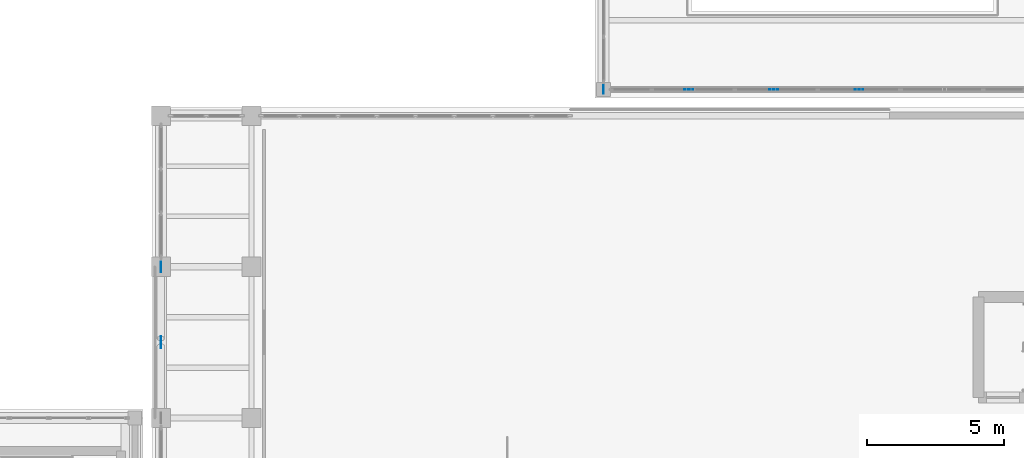
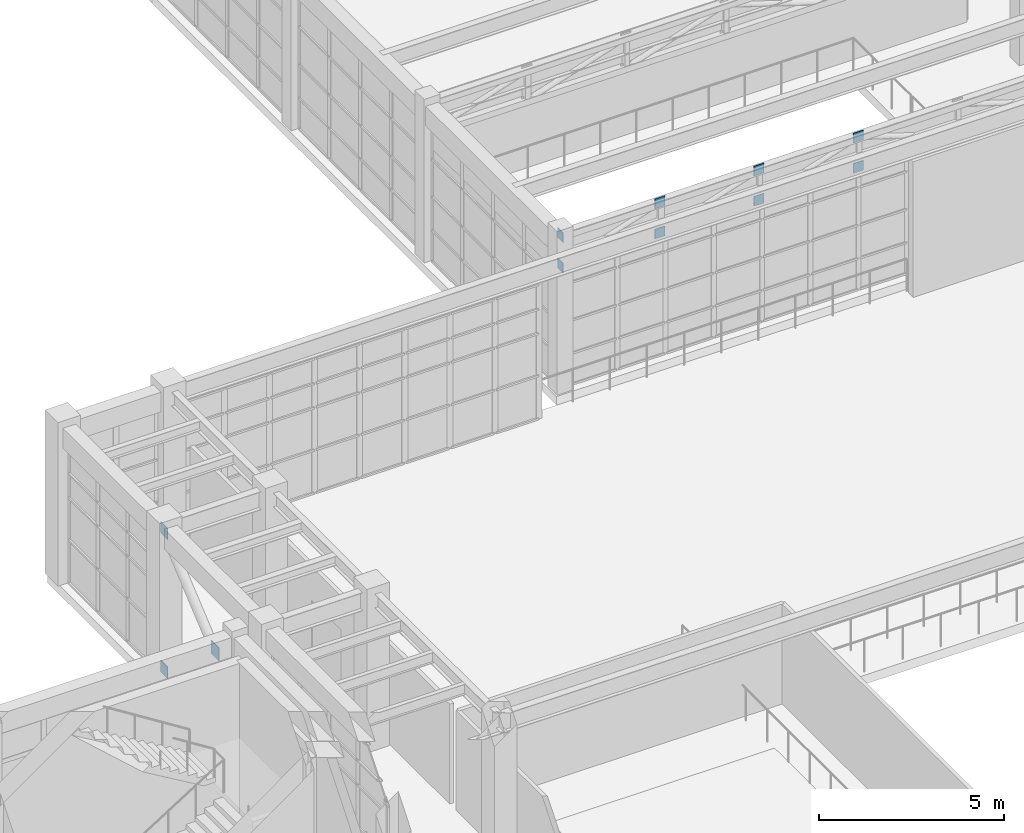
# One storey, part 87 of 103: 11 plates.
"""IFC4 building model written with IfcOpenShell, lengths in metres."""

from ifc_helpers import new_model, si_unit, direction, frame, origin, origin_2d, place, context, subcontext, project, spatial, rectangle, extrude, material, layer, layer_set, type_object, element, save


model = new_model("IFC4")

# Units and contexts
model_context = context("Model", 3, precision=1e-05, world=origin(), true_north=direction((0.0, 1.0)))
body_context = subcontext(model_context, "Body", "Model", "MODEL_VIEW")
ifc_project = project(units=[si_unit("LENGTHUNIT", "METRE"), si_unit("AREAUNIT", "SQUARE_METRE"), si_unit("VOLUMEUNIT", "CUBIC_METRE"), si_unit("PLANEANGLEUNIT", "RADIAN"), si_unit("MASSUNIT", "GRAM", prefix="KILO")], contexts=[model_context])

# Site, building, storey
site_placement = place(None, origin())
site = spatial("IfcSite", under=ifc_project, at=site_placement, CompositionType="ELEMENT")
building_placement = place(site_placement, origin())
building = spatial("IfcBuilding", under=site, at=building_placement, Name="Candilejo Ridge Gondola Terminal", CompositionType="ELEMENT")
storey_placement = place(building_placement, frame((0.0, 0.0, 9.0)))
storey = spatial("IfcBuildingStorey", under=building, at=storey_placement, Name="L02", CompositionType="ELEMENT", Elevation=9.0)

# Plates
ifc_material_1 = material(Name="Steel ASTM A572 Grade 50", Category="steel")
ifc_layer_1 = layer(ifc_material_1, 0.01806640625)
ifc_layer_set_1 = layer_set([ifc_layer_1], Name="STR-NODE-PLATE-320X320X18")
plate_type_1 = type_object("IfcPlateType", Name="STR-NODE-PLATE-320X320X18", PredefinedType="USERDEFINED", material=ifc_layer_set_1)
for number, where, z_axis, x_axis, name in (
    (1, (150.0, 48.64990234375, 3.89013671875), (0.0, 0.0, 1.0), (1.0, 0.0, 0.0), "Truss node gusset plate 172"),
    (2, (150.0, 48.64990234375, 4.89013671875), (0.0, 0.0, 1.0), (1.0, 0.0, 0.0), "Truss node gusset plate 173"),
):
    element("IfcPlate", number, at=place(storey_placement, frame(where, z_axis=z_axis, x_axis=x_axis)), inside=storey, type_object=plate_type_1, Name=name, ObjectType="NODE PLATE", PredefinedType="USERDEFINED", context=body_context, shape_type="SweptSolid", body=[
        extrude(rectangle(XDim=0.01806640625, YDim=0.320068359375, at=origin_2d()), origin(), (0.0, 0.0, 1.0), 0.320068359375),
    ])
for number, where, z_axis, x_axis, name in (
    (3, (153.10009765625, 48.64990234375, 3.89013671875), (0.0, 0.0, 1.0), (1.0, 0.0, 0.0), "Truss node gusset plate 174"),
    (4, (153.10009765625, 48.64990234375, 4.89013671875), (0.0, 0.0, 1.0), (1.0, 0.0, 0.0), "Truss node gusset plate 175"),
    (5, (156.199951171875, 48.64990234375, 3.89013671875), (0.0, 0.0, 1.0), (1.0, 0.0, 0.0), "Truss node gusset plate 176"),
    (6, (156.199951171875, 48.64990234375, 4.89013671875), (0.0, 0.0, 1.0), (1.0, 0.0, 0.0), "Truss node gusset plate 177"),
    (7, (159.300048828125, 48.64990234375, 3.89013671875), (0.0, 0.0, 1.0), (1.0, 0.0, 0.0), "Truss node gusset plate 178"),
    (8, (159.300048828125, 48.64990234375, 4.89013671875), (0.0, 0.0, 1.0), (1.0, 0.0, 0.0), "Truss node gusset plate 179"),
):
    element("IfcPlate", number, at=place(storey_placement, frame(where, z_axis=z_axis, x_axis=x_axis)), inside=storey, type_object=plate_type_1, Name=name, ObjectType="NODE PLATE", PredefinedType="USERDEFINED", context=body_context, shape_type="SweptSolid", body=[
        extrude(rectangle(XDim=0.320068359375, YDim=0.01806640625, at=origin_2d()), origin(), (0.0, 0.0, 1.0), 0.320068359375),
    ])
ifc_material_2 = material(Name="Steel ASTM A572 Grade 50", Category="steel")
ifc_layer_2 = layer(ifc_material_2, 0.02001953125)
ifc_layer_set_2 = layer_set([ifc_layer_2], Name="STR-NODE-PLATE-380X380X20")
plate_type_2 = type_object("IfcPlateType", Name="STR-NODE-PLATE-380X380X20", PredefinedType="USERDEFINED", material=ifc_layer_set_2)
for number, where, z_axis, x_axis, name in (
    (9, (133.89990234375, 42.199951171875, 0.06005859375), (0.0, 0.0, 1.0), (1.0, 0.0, 0.0), "X-brace corner gusset plate 222"),
    (10, (133.89990234375, 42.199951171875, 4.64501953125), (0.0, 0.0, 1.0), (1.0, 0.0, 0.0), "X-brace corner gusset plate 224"),
):
    element("IfcPlate", number, at=place(storey_placement, frame(where, z_axis=z_axis, x_axis=x_axis)), inside=storey, type_object=plate_type_2, Name=name, ObjectType="NODE PLATE", PredefinedType="USERDEFINED", context=body_context, shape_type="SweptSolid", body=[
        extrude(rectangle(XDim=0.02001953125, YDim=0.3798828125, at=origin_2d()), origin(), (0.0, 0.0, 1.0), 0.3798828125),
    ])
ifc_material_3 = material(Name="Steel ASTM A572 Grade 50", Category="steel")
ifc_layer_3 = layer(ifc_material_3, 0.02392578125)
ifc_layer_set_3 = layer_set([ifc_layer_3], Name="STR-NODE-PLATE-440X440X24")
plate_type_3 = type_object("IfcPlateType", Name="STR-NODE-PLATE-440X440X24", PredefinedType="USERDEFINED", material=ifc_layer_set_3)
plate_placement = place(storey_placement, frame((133.89990234375, 39.449951171875, 2.322509765625), z_axis=(0.0, 0.0, 1.0), x_axis=(1.0, 0.0, 0.0)))
element("IfcPlate", 11, at=plate_placement, inside=storey, type_object=plate_type_3, Name="X-brace central crossing gusset plate 220", ObjectType="NODE PLATE", PredefinedType="USERDEFINED", context=body_context, shape_type="SweptSolid", body=[
    extrude(rectangle(XDim=0.02392578125, YDim=0.43994140625, at=origin_2d()), origin(), (0.0, 0.0, 1.0), 0.43994140625),
])

save(model, "model.ifc")
